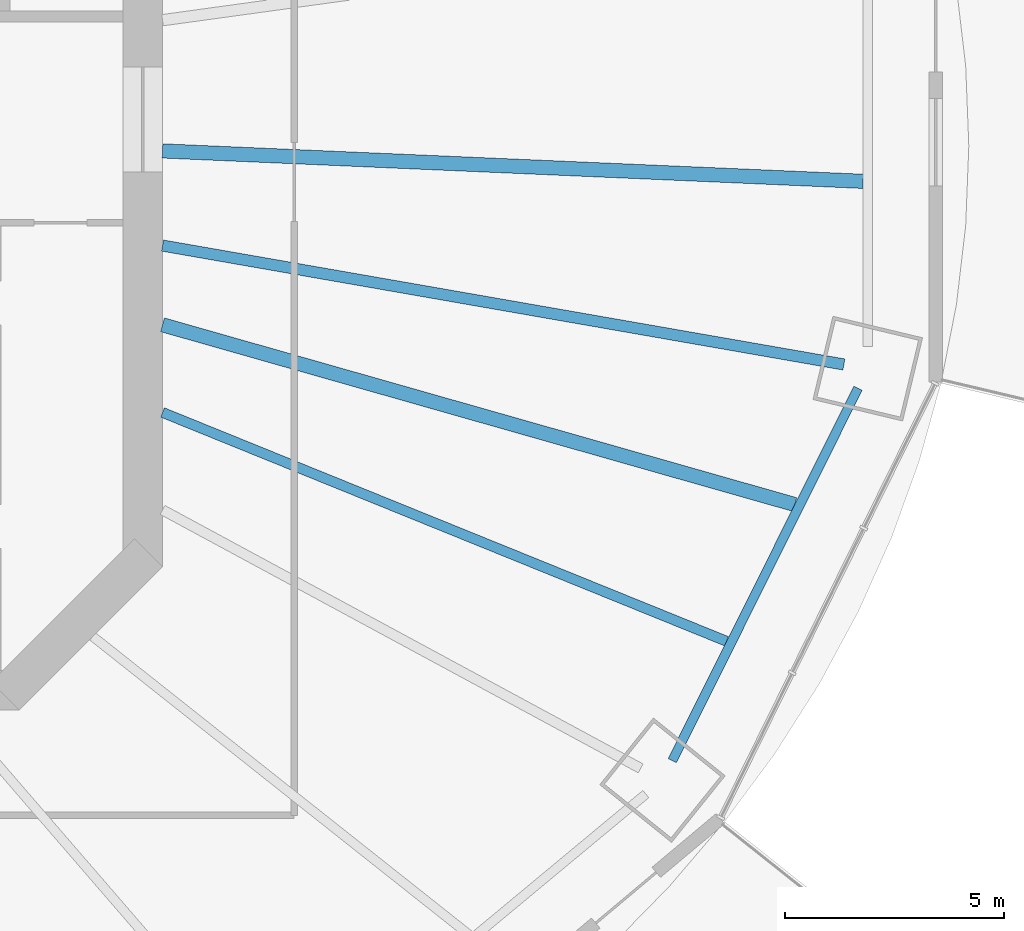
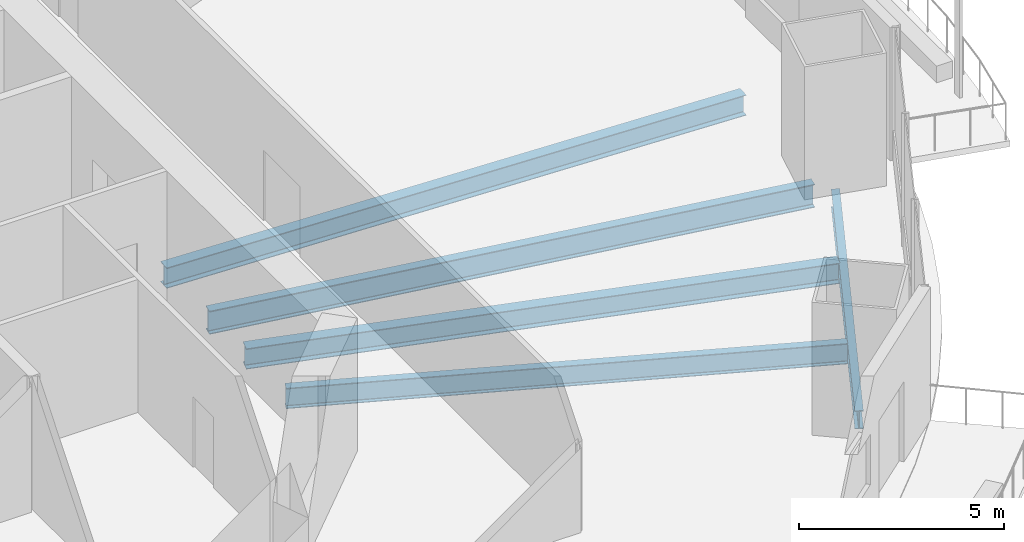
# One storey, part 5 of 21: 5 beams.
"""IFC4 building model written with IfcOpenShell, lengths in metres."""

from ifc_helpers import new_model, si_unit, direction, frame, origin, origin_2d, place, context, subcontext, project, spatial, i_section, extrude, material, material_profile, profile_set, type_object, element, save


model = new_model("IFC4")

# Units and contexts
model_context = context("Model", 3, precision=1e-05, world=origin(), true_north=direction((0.0, 1.0)))
body_context = subcontext(model_context, "Body", "Model", "MODEL_VIEW")
ifc_project = project(units=[si_unit("LENGTHUNIT", "METRE"), si_unit("AREAUNIT", "SQUARE_METRE"), si_unit("VOLUMEUNIT", "CUBIC_METRE"), si_unit("PLANEANGLEUNIT", "RADIAN"), si_unit("MASSUNIT", "GRAM", prefix="KILO")], contexts=[model_context])

# Site, building, storey
site_placement = place(None, origin())
site = spatial("IfcSite", under=ifc_project, at=site_placement, CompositionType="ELEMENT")
building_placement = place(site_placement, origin())
building = spatial("IfcBuilding", under=site, at=building_placement, Name="Marenthal Gate Tower", CompositionType="ELEMENT")
storey_placement = place(building_placement, frame((0.0, 0.0, 161.050048828125)))
storey = spatial("IfcBuildingStorey", under=building, at=storey_placement, Name="L34", CompositionType="ELEMENT", Elevation=161.050048828125)

# Beams
ifc_material_1 = material(Name="Steel S355", Category="steel")
ifc_material_profile_1 = material_profile(ifc_material_1, i_section(OverallWidth=0.2119140625, OverallDepth=0.5439453125, WebThickness=0.01318359375, FlangeThickness=0.021240234375, FilletRadius=0.0126953125, at=origin_2d()), Name="W530X123")
ifc_profile_set_1 = profile_set([ifc_material_profile_1], Name="Steel S355")
beam_type_1 = type_object("IfcBeamType", Name="W530X123 beam", PredefinedType="BEAM", material=ifc_profile_set_1)
beam_1_placement = place(storey_placement, frame((28.06298828125, -14.60595703125, -0.4521484375), z_axis=(0.446296506962, 0.894885147868, 0.0), x_axis=(-0.894885147868, 0.446296506962, 0.0)))
element("IfcBeam", 1, at=beam_1_placement, inside=storey, type_object=beam_type_1, Name="BM-L34-55", PredefinedType="BEAM", context=body_context, shape_type="SweptSolid", body=[
    extrude(i_section(OverallWidth=0.2119140625, OverallDepth=0.5439453125, WebThickness=0.01318359375, FlangeThickness=0.021240234375, FilletRadius=0.0126953125, at=origin_2d()), origin(), (0.0, 0.0, 1.0), 9.4794921875),
])
ifc_material_2 = material(Name="Steel S355", Category="steel")
ifc_material_profile_2 = material_profile(ifc_material_2, i_section(OverallWidth=0.22900390625, OverallDepth=0.612060546875, WebThickness=0.011962890625, FlangeThickness=0.01953125, FilletRadius=0.0126953125, at=origin_2d()), Name="W610X125")
ifc_profile_set_2 = profile_set([ifc_material_profile_2], Name="Steel S355")
beam_type_2 = type_object("IfcBeamType", Name="W610X125 beam", PredefinedType="BEAM", material=ifc_profile_set_2)
beam_2_placement = place(storey_placement, frame((29.301025390625, -11.885986328125, -0.486083984375), z_axis=(-0.926657906444, 0.37590573875, 0.0), x_axis=(-0.37590573875, -0.926657906444, 0.0)))
element("IfcBeam", 2, at=beam_2_placement, inside=storey, type_object=beam_type_2, Name="BM-L34-38", PredefinedType="BEAM", context=body_context, shape_type="SweptSolid", body=[
    extrude(i_section(OverallWidth=0.22900390625, OverallDepth=0.612060546875, WebThickness=0.011962890625, FlangeThickness=0.01953125, FilletRadius=0.0126953125, at=origin_2d()), origin(), (0.0, 0.0, 1.0), 13.8681640625),
])
ifc_material_3 = material(Name="Steel S355", Category="steel")
ifc_material_profile_3 = material_profile(ifc_material_3, i_section(OverallWidth=0.324951171875, OverallDepth=0.612060546875, WebThickness=0.0126953125, FlangeThickness=0.01904296875, FilletRadius=0.0126953125, at=origin_2d()), Name="W610X155")
ifc_profile_set_3 = profile_set([ifc_material_profile_3], Name="Steel S355")
beam_type_3 = type_object("IfcBeamType", Name="W610X155 beam", PredefinedType="BEAM", material=ifc_profile_set_3)
beam_3_placement = place(storey_placement, frame((30.854736328125, -8.770751953125, -0.486083984375), z_axis=(-0.961892197576, 0.273428967454, 0.0), x_axis=(-0.273428967454, -0.961892197576, 0.0)))
element("IfcBeam", 3, at=beam_3_placement, inside=storey, type_object=beam_type_3, Name="BM-L34-39", PredefinedType="BEAM", context=body_context, shape_type="SweptSolid", body=[
    extrude(i_section(OverallWidth=0.324951171875, OverallDepth=0.612060546875, WebThickness=0.0126953125, FlangeThickness=0.01904296875, FilletRadius=0.0126953125, at=origin_2d()), origin(), (0.0, 0.0, 1.0), 14.9755859375),
])
beam_4_placement = place(storey_placement, frame((32.4111328125, -1.4072265625, -0.486083984375), z_axis=(-0.999059125822, 0.043368918719, 0.0), x_axis=(-0.043368918719, -0.999059125822, 0.0)))
element("IfcBeam", 4, at=beam_4_placement, inside=storey, type_object=beam_type_3, Name="BM-L34-40", PredefinedType="BEAM", context=body_context, shape_type="SweptSolid", body=[
    extrude(i_section(OverallWidth=0.324951171875, OverallDepth=0.612060546875, WebThickness=0.0126953125, FlangeThickness=0.01904296875, FilletRadius=0.0126953125, at=origin_2d()), origin(), (0.0, 0.0, 1.0), 15.976318359375),
])
ifc_material_4 = material(Name="Steel S355", Category="steel")
ifc_material_profile_4 = material_profile(ifc_material_4, i_section(OverallWidth=0.257080078125, OverallDepth=0.693115234375, WebThickness=0.014404296875, FlangeThickness=0.023681640625, FilletRadius=0.015380859375, at=origin_2d()), Name="W690X170")
ifc_profile_set_4 = profile_set([ifc_material_profile_4], Name="Steel S355")
beam_type_4 = type_object("IfcBeamType", Name="W690X170 beam", PredefinedType="BEAM", material=ifc_profile_set_4)
beam_5_placement = place(storey_placement, frame((31.973388671875, -5.579833984375, -0.526611328125), z_axis=(-0.985112434091, 0.171911291656, 0.0), x_axis=(-0.171911291656, -0.985112434091, 0.0)))
element("IfcBeam", 5, at=beam_5_placement, inside=storey, type_object=beam_type_4, Name="BM-L34-16", PredefinedType="BEAM", context=body_context, shape_type="SweptSolid", body=[
    extrude(i_section(OverallWidth=0.257080078125, OverallDepth=0.693115234375, WebThickness=0.014404296875, FlangeThickness=0.023681640625, FilletRadius=0.015380859375, at=origin_2d()), origin(), (0.0, 0.0, 1.0), 15.758056640625),
])

save(model, "model.ifc")
